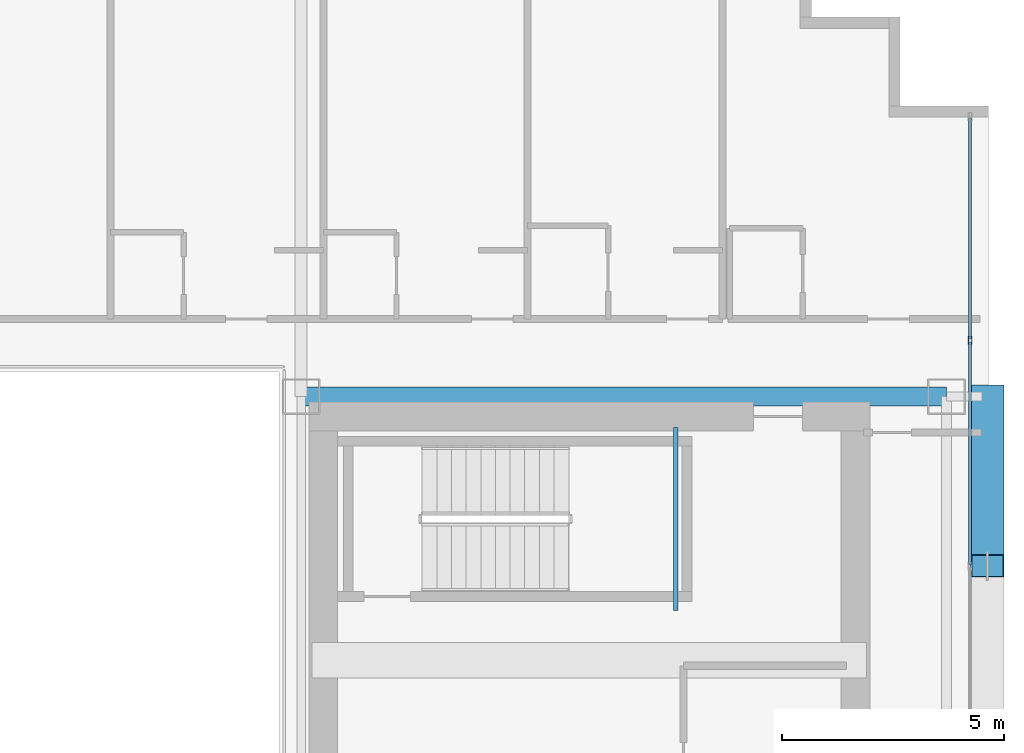
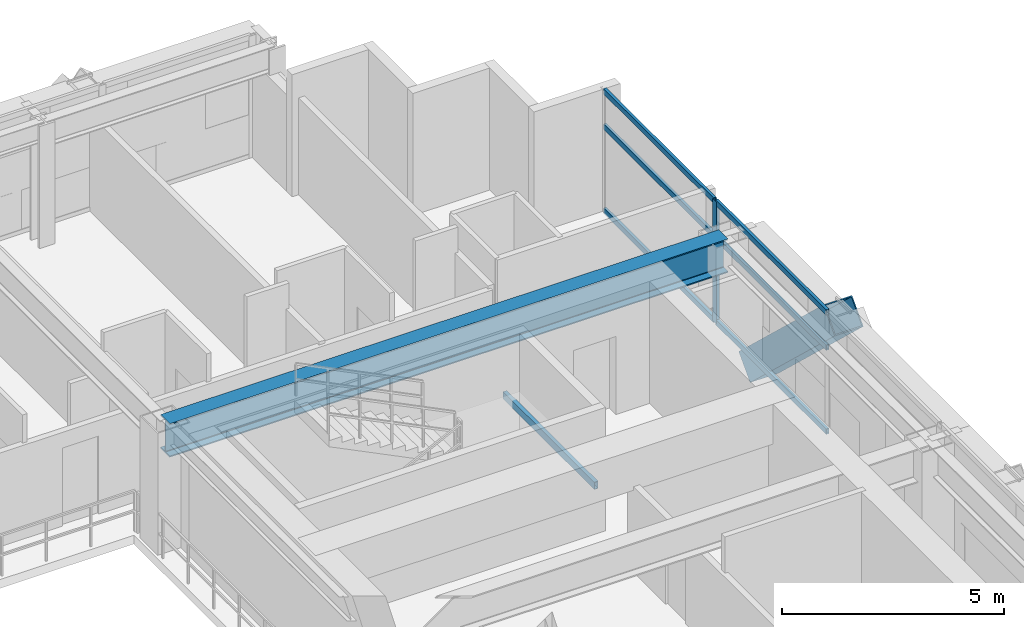
# One storey, part 20 of 36: 8 members, 2 beams, 1 element without a shape of its own.
"""IFC4 building model written with IfcOpenShell, lengths in metres."""

import ifcopenshell
import ifcopenshell.guid

model = None  # the IFC model being written
_history = None  # IfcOwnerHistory: only IFC2X3 demands one
_inside = {}  # id of a spatial element -> (the spatial element, [elements in it])
_under = {}  # id of a project, library or spatial element -> (it, [spatial elements below it])
_declared = {}  # id of a project -> (the project, [libraries it declares])
_typed = {}  # id of a type object -> (the type object, [elements of that type])
_made_of = {}  # id of a material, layer set ... -> (it, [elements and type objects made of it])


def new_model(schema):
    """Start an empty IFC model of exactly this schema.

    Asked for "IFC4X3", IfcOpenShell would pick the latest addendum, in which some entities
    have other attributes; the version numbers below select the first issue.
    IFC2X3 requires an IfcOwnerHistory on every rooted entity: one is made here for all.
    """
    global model, _history
    if schema == "IFC4X3":
        model = ifcopenshell.file(schema_version=(4, 3, 0, 0))
    else:
        model = ifcopenshell.file(schema=schema)
    _inside.clear()
    _under.clear()
    _declared.clear()
    _typed.clear()
    _made_of.clear()
    _history = None
    if model.schema == "IFC2X3":
        org = make("IfcOrganization", Name="unknown")
        user = make(
            "IfcPersonAndOrganization",
            ThePerson=make("IfcPerson", FamilyName="unknown"),
            TheOrganization=org,
        )
        app = make(
            "IfcApplication",
            ApplicationDeveloper=org,
            Version="unknown",
            ApplicationFullName="unknown",
            ApplicationIdentifier="unknown",
        )
        _history = make(
            "IfcOwnerHistory",
            OwningUser=user,
            OwningApplication=app,
            ChangeAction="ADDED",
            CreationDate=0,
        )
    return model


def make(cls, **values):
    """One entity of the class cls with the attributes given. An attribute that is None is left unset."""
    return model.create_entity(
        cls, **{name: value for name, value in values.items() if value is not None}
    )


def rooted(cls, **values):
    """An entity with a GlobalId (a new one), such as an element, a storey or a relation."""
    return make(cls, GlobalId=ifcopenshell.guid.new(), OwnerHistory=_history, **values)


def si_unit(unit_type, name, prefix=None):
    """IfcSIUnit, for example si_unit("LENGTHUNIT", "METRE", prefix="MILLI")."""
    return make("IfcSIUnit", UnitType=unit_type, Prefix=prefix, Name=name)


def assignment(units):
    """IfcUnitAssignment: the units of a project."""
    return None if units is None else make("IfcUnitAssignment", Units=units)


def point(xyz):
    """IfcCartesianPoint."""
    return None if xyz is None else make("IfcCartesianPoint", Coordinates=xyz)


def direction(xyz):
    """IfcDirection."""
    return None if xyz is None else make("IfcDirection", DirectionRatios=xyz)


def frame(location, z_axis=None, x_axis=None):
    """IfcAxis2Placement3D, a coordinate frame: its origin and axes. An axis left out is left unset."""
    return make(
        "IfcAxis2Placement3D",
        Location=point(location),
        Axis=direction(z_axis),
        RefDirection=direction(x_axis),
    )


def frame_2d(location, x_axis=None):
    """IfcAxis2Placement2D, a coordinate frame in the plane: its origin and x axis."""
    return make(
        "IfcAxis2Placement2D", Location=point(location), RefDirection=direction(x_axis)
    )


def origin():
    """The frame at (0, 0, 0) with its axes left unset."""
    return frame((0.0, 0.0, 0.0))


def origin_2d():
    """The frame at (0, 0) in the plane with its x axis left unset."""
    return frame_2d((0.0, 0.0))


def place(relative_to, where):
    """IfcLocalPlacement: puts the frame where relative to a parent placement (None: the world)."""
    return make(
        "IfcLocalPlacement", PlacementRelTo=relative_to, RelativePlacement=where
    )


def context(
    kind, dimensions, precision=None, world=None, true_north=None, identifier=None
):
    """IfcGeometricRepresentationContext, for example the 3D "Model" context."""
    return make(
        "IfcGeometricRepresentationContext",
        ContextIdentifier=identifier,
        ContextType=kind,
        CoordinateSpaceDimension=dimensions,
        Precision=precision,
        WorldCoordinateSystem=world,
        TrueNorth=true_north,
    )


def subcontext(parent, identifier, kind, view, scale=None):
    """IfcGeometricRepresentationSubContext, for example "Body" below "Model"."""
    return make(
        "IfcGeometricRepresentationSubContext",
        ContextIdentifier=identifier,
        ContextType=kind,
        ParentContext=parent,
        TargetScale=scale,
        TargetView=view,
    )


def project(units=None, contexts=None):
    """IfcProject with its units and contexts."""
    return rooted(
        "IfcProject",
        Name="project",
        RepresentationContexts=contexts,
        UnitsInContext=assignment(units),
    )


def spatial(cls, under=None, at=None, **own):
    """A site, building, storey or space (cls), placed at a placement, below another one or the project."""
    s = rooted(cls, ObjectPlacement=at, **own)
    if under is not None:
        _under.setdefault(under.id(), (under, []))[1].append(s)
    return s


def profile(cls, at=None, kind="AREA", **sizes):
    """A parametric profile (cls). Its sizes go by their IFC names, for example OverallWidth=200.0."""
    return make(cls, ProfileType=kind, Position=at, **sizes)


def hollow_rectangle(**sizes):
    """IfcRectangleHollowProfileDef."""
    return profile("IfcRectangleHollowProfileDef", **sizes)


def i_section(**sizes):
    """IfcIShapeProfileDef."""
    return profile("IfcIShapeProfileDef", **sizes)


def extrude(swept, where, along, depth):
    """IfcExtrudedAreaSolid: the profile swept, set in the frame where, extruded along a direction by depth."""
    return make(
        "IfcExtrudedAreaSolid",
        SweptArea=swept,
        Position=where,
        ExtrudedDirection=direction(along),
        Depth=depth,
    )


def shape(context_of_items, identifier, shape_type, items):
    """IfcShapeRepresentation: the items that make up one representation, for example the "Body"."""
    return make(
        "IfcShapeRepresentation",
        ContextOfItems=context_of_items,
        RepresentationIdentifier=identifier,
        RepresentationType=shape_type,
        Items=items,
    )


def source(mapping_origin, context_of_items, identifier, shape_type, items):
    """IfcRepresentationMap: a shape defined once, which mapped items show again and again."""
    return make(
        "IfcRepresentationMap",
        MappingOrigin=mapping_origin,
        MappedRepresentation=shape(context_of_items, identifier, shape_type, items),
    )


def transform(
    local_origin,
    x_axis=None,
    y_axis=None,
    z_axis=None,
    scale=None,
    scale2=None,
    scale3=None,
    uniform=True,
):
    """IfcCartesianTransformationOperator3D, or its non-uniform kind. x_axis, y_axis, z_axis: its Axis1, 2, 3."""
    if uniform:
        return make(
            "IfcCartesianTransformationOperator3D",
            Axis1=direction(x_axis),
            Axis2=direction(y_axis),
            LocalOrigin=point(local_origin),
            Scale=scale,
            Axis3=direction(z_axis),
        )
    return make(
        "IfcCartesianTransformationOperator3DnonUniform",
        Axis1=direction(x_axis),
        Axis2=direction(y_axis),
        LocalOrigin=point(local_origin),
        Scale=scale,
        Axis3=direction(z_axis),
        Scale2=scale2,
        Scale3=scale3,
    )


def mapped(mapping_source, mapping_target):
    """IfcMappedItem: shows the shape of a source again, moved by a transform."""
    return make(
        "IfcMappedItem", MappingSource=mapping_source, MappingTarget=mapping_target
    )


def material(Name=None, Category=None):
    """IfcMaterial."""
    return make("IfcMaterial", Name=Name, Category=Category)


def layer(
    of_material, thickness, ventilated=None, Name=None, Category=None, Priority=None
):
    """IfcMaterialLayer: one layer of a wall or slab, of a material (None: an air gap)."""
    return make(
        "IfcMaterialLayer",
        Material=of_material,
        LayerThickness=thickness,
        IsVentilated=ventilated,
        Name=Name,
        Category=Category,
        Priority=Priority,
    )


def layer_set(layers, Name=None):
    """IfcMaterialLayerSet."""
    return make("IfcMaterialLayerSet", MaterialLayers=layers, LayerSetName=Name)


def material_profile(
    of_material, cross_section, Name=None, Category=None, Priority=None
):
    """IfcMaterialProfile: a cross section and its material."""
    return make(
        "IfcMaterialProfile",
        Name=Name,
        Material=of_material,
        Profile=cross_section,
        Priority=Priority,
        Category=Category,
    )


def profile_set(profiles, Name=None, composite=None):
    """IfcMaterialProfileSet."""
    return make(
        "IfcMaterialProfileSet",
        Name=Name,
        MaterialProfiles=profiles,
        CompositeProfile=composite,
    )


def made_of(thing, what):
    """Note that an element or type object is made of a material, layer set ...; save() writes the relation."""
    if what is not None:
        _made_of.setdefault(what.id(), (what, []))[1].append(thing)
    return thing


def type_object(cls, material=None, **own):
    """A type object (cls), such as IfcWallType, which elements share."""
    return made_of(rooted(cls, **own), material)


def element(
    cls,
    number,
    at=None,
    inside=None,
    cuts=None,
    type_object=None,
    material=None,
    context=None,
    identifier="Body",
    shape_type=None,
    held_by="IfcProductDefinitionShape",
    body=None,
    shapes=None,
    **own,
):
    """One element of the class cls, such as IfcWall. Its Tag is "e" and its number.

    at: its placement. inside: the storey or other place that contains it. cuts: it is an
    opening in that element (IfcRelVoidsElement). A single representation is given by context,
    identifier, shape_type and body (its items); several are given by shapes. held_by: the class
    of the entity that holds the representations. save() writes the other relations.
    """
    e = rooted(cls, Tag="e%d" % number, ObjectPlacement=at, **own)
    if body is not None:
        shapes = [shape(context, identifier, shape_type, body)]
    if shapes is not None:
        e.Representation = make(held_by, Representations=shapes)
    if inside is not None:
        _inside.setdefault(inside.id(), (inside, []))[1].append(e)
    if cuts is not None:
        rooted(
            "IfcRelVoidsElement", RelatingBuildingElement=cuts, RelatedOpeningElement=e
        )
    if type_object is not None:
        _typed.setdefault(type_object.id(), (type_object, []))[1].append(e)
    return made_of(e, material)


def aggregate(whole, parts):
    """IfcRelAggregates: a whole, such as a stair, and the parts it consists of."""
    return rooted("IfcRelAggregates", RelatingObject=whole, RelatedObjects=parts)


def save(model, path):
    """Write the relations noted so far, then the file.

    IfcRelAggregates (storeys below a building ...), IfcRelContainedInSpatialStructure (elements
    in a storey), IfcRelDefinesByType, IfcRelAssociatesMaterial and IfcRelDeclares: one each for
    every whole, place, type object, material and project.
    """
    for whole, parts in _under.values():
        aggregate(whole, parts)
    for where, things in _inside.values():
        rooted(
            "IfcRelContainedInSpatialStructure",
            RelatedElements=things,
            RelatingStructure=where,
        )
    for kind, things in _typed.values():
        rooted("IfcRelDefinesByType", RelatedObjects=things, RelatingType=kind)
    for what, things in _made_of.values():
        rooted("IfcRelAssociatesMaterial", RelatedObjects=things, RelatingMaterial=what)
    for by, libraries in _declared.values():
        rooted("IfcRelDeclares", RelatingContext=by, RelatedDefinitions=libraries)
    model.write(path)


model = new_model("IFC4")

# Units and contexts
model_context = context("Model", 3, precision=1e-05, world=origin(), true_north=direction((0.0, 1.0)))
body_context = subcontext(model_context, "Body", "Model", "MODEL_VIEW")
ifc_project = project(units=[si_unit("LENGTHUNIT", "METRE"), si_unit("AREAUNIT", "SQUARE_METRE"), si_unit("VOLUMEUNIT", "CUBIC_METRE"), si_unit("PLANEANGLEUNIT", "RADIAN"), si_unit("MASSUNIT", "GRAM", prefix="KILO")], contexts=[model_context])

# Site, building, storey
site_placement = place(None, origin())
site = spatial("IfcSite", under=ifc_project, at=site_placement, CompositionType="ELEMENT")
building_placement = place(site_placement, origin())
building = spatial("IfcBuilding", under=site, at=building_placement, Name="Ocotamira Hotel", CompositionType="ELEMENT")
storey_placement = place(building_placement, frame((0.0, 0.0, 97.199951171875)))
storey = spatial("IfcBuildingStorey", under=building, at=storey_placement, Name="L23", CompositionType="ELEMENT", Elevation=97.199951171875)

# Beams
ifc_material_1 = material(Name="Steel ASTM A500 Grade C", Category="steel")
ifc_material_profile_1 = material_profile(ifc_material_1, hollow_rectangle(XDim=0.10009765625, YDim=0.199951171875, WallThickness=0.008056640625, at=origin_2d()), Name="HSS200X100X8")
ifc_profile_set_1 = profile_set([ifc_material_profile_1], Name="Steel ASTM A500 Grade C")
beam_type_1 = type_object("IfcBeamType", Name="BM-STLDG-HSS200", PredefinedType="BEAM", material=ifc_profile_set_1)
shared_shape_1 = source(origin(), body_context, "Body", "SweptSolid", [
    extrude(hollow_rectangle(XDim=0.10009765625, YDim=0.199951171875, WallThickness=0.008056640625, at=origin_2d()), origin(), (0.0, 0.0, 1.0), 4.1201171875),
])
beam_1_placement = place(storey_placement, frame((48.949951171875, 32.6298828125, 1.5), z_axis=(0.0, 1.0, 0.0), x_axis=(-1.0, 0.0, 0.0)))
element("IfcBeam", 1, at=beam_1_placement, inside=storey, type_object=beam_type_1, Name="L23 Stair ST-4 Landing Bearer 1", PredefinedType="BEAM", context=body_context, shape_type="MappedRepresentation", body=[
    mapped(shared_shape_1, transform((0.0, 0.0, 0.0), scale=1.0)),
])
ifc_material_2 = material(Name="Steel ASTM A992 Grade 50", Category="steel")
ifc_material_profile_2 = material_profile(ifc_material_2, i_section(OverallWidth=0.41796875, OverallDepth=0.927001953125, WebThickness=0.019287109375, FlangeThickness=0.031982421875, FilletRadius=0.02392578125, at=origin_2d()), Name="W36X231")
ifc_profile_set_2 = profile_set([ifc_material_profile_2], Name="Steel ASTM A992 Grade 50")
beam_type_2 = type_object("IfcBeamType", Name="BM-GIRD-W36X231", PredefinedType="BEAM", material=ifc_profile_set_2)
shared_shape_2 = source(origin(), body_context, "Body", "SweptSolid", [
    extrude(i_section(OverallWidth=0.41796875, OverallDepth=0.927001953125, WebThickness=0.019287109375, FlangeThickness=0.031982421875, FilletRadius=0.02392578125, at=origin_2d()), origin(), (0.0, 0.0, 1.0), 14.550048828125),
])
beam_2_placement = place(storey_placement, frame((40.5, 37.449951171875, 2.896484375), z_axis=(1.0, 0.0, 0.0), x_axis=(0.0, 1.0, 0.0)))
element("IfcBeam", 2, at=beam_2_placement, inside=storey, type_object=beam_type_2, Name="L23 Girder Y37.45 X40.5-55.05", PredefinedType="BEAM", context=body_context, shape_type="MappedRepresentation", body=[
    mapped(shared_shape_2, transform((0.0, 0.0, 0.0), scale=1.0)),
])

# Member
ifc_material_3 = material(Name="Pale-metal coated steel ASTM A913 Grade 65", Category="steel")
ifc_material_profile_3 = material_profile(ifc_material_3, hollow_rectangle(XDim=0.75, YDim=0.75, WallThickness=0.028076171875, at=origin_2d()), Name="BOX750X750X28")
ifc_profile_set_3 = profile_set([ifc_material_profile_3], Name="Pale-metal coated steel ASTM A913 Grade 65")
member_type_1 = type_object("IfcMemberType", Name="MEM-EXO-BOX750", PredefinedType="BRACE", material=ifc_profile_set_3)
shared_shape_3 = source(origin(), body_context, "Body", "SweptSolid", [
    extrude(hollow_rectangle(XDim=0.75, YDim=0.75, WallThickness=0.028076171875, at=origin_2d()), origin(), (0.0, 0.0, 1.0), 5.24658203125),
])
member_1_placement = place(storey_placement, frame((55.969970703125, 37.449951171875, -0.489990234375), z_axis=(0.0, -0.727442733726, 0.686168397078), x_axis=(1.0, 0.0, 0.0)))
element("IfcMember", 3, at=member_1_placement, inside=storey, type_object=member_type_1, Name="L23 Exoskeleton Diagrid E2.2", PredefinedType="BRACE", context=body_context, shape_type="MappedRepresentation", body=[
    mapped(shared_shape_3, transform((0.0, 0.0, 0.0), scale=1.0)),
])

# Curtain wall, members
ifc_material_4 = material(Name="Anodised pale-metal aluminium and solar glass", Category="aluminium")
ifc_layer = layer(ifc_material_4, 0.179931640625)
ifc_layer_set = layer_set([ifc_layer], Name="Anodised pale-metal aluminium and solar glass")
curtain_wall_type = type_object("IfcCurtainWallType", Name="CW-SYS3-Z2", PredefinedType="NOTDEFINED", material=ifc_layer_set)
curtain_wall_placement = place(storey_placement, origin())
curtain_wall = element("IfcCurtainWall", 4, at=curtain_wall_placement, inside=storey, type_object=curtain_wall_type, Name="L23 Curtain Wall CW-3 CW-L23-E", PredefinedType="NOTDEFINED")
ifc_material_5 = material(Name="Anodised pale-metal aluminium 6063-T6", Category="aluminium")
ifc_material_profile_4 = material_profile(ifc_material_5, hollow_rectangle(XDim=0.074951171875, YDim=0.14990234375, WallThickness=0.006103515625, at=origin_2d()), Name="HSS150X75X6")
ifc_profile_set_4 = profile_set([ifc_material_profile_4], Name="Anodised pale-metal aluminium 6063-T6")
member_type_2 = type_object("IfcMemberType", Name="CWT-150X75", PredefinedType="USERDEFINED", material=ifc_profile_set_4)
shared_shape_4 = source(origin(), body_context, "Body", "SweptSolid", [
    extrude(hollow_rectangle(XDim=0.074951171875, YDim=0.14990234375, WallThickness=0.006103515625, at=origin_2d()), origin(), (0.0, 0.0, 1.0), 4.965576171875),
])
member_2_placement = place(storey_placement, frame((55.580078125, 38.75439453125, 0.03759765625), z_axis=(0.0, 1.0, 0.0), x_axis=(-1.0, 0.0, 0.0)))
member_2 = element("IfcMember", 5, at=member_2_placement, type_object=member_type_2, Name="CW-3 transom 7.1", ObjectType="TRANSOM", PredefinedType="USERDEFINED", context=body_context, shape_type="MappedRepresentation", body=[
    mapped(shared_shape_4, transform((0.0, 0.0, 0.0), scale=1.0)),
])
member_3_placement = place(storey_placement, frame((55.580078125, 38.75439453125, 2.35009765625), z_axis=(0.0, 1.0, 0.0), x_axis=(-1.0, 0.0, 0.0)))
member_3 = element("IfcMember", 6, at=member_3_placement, type_object=member_type_2, Name="CW-3 transom 7.2", ObjectType="TRANSOM", PredefinedType="USERDEFINED", context=body_context, shape_type="MappedRepresentation", body=[
    mapped(shared_shape_4, transform((0.0, 0.0, 0.0), scale=1.0)),
])
member_4_placement = place(storey_placement, frame((55.580078125, 38.75439453125, 3.322509765625), z_axis=(0.0, 1.0, 0.0), x_axis=(-1.0, 0.0, 0.0)))
member_4 = element("IfcMember", 7, at=member_4_placement, type_object=member_type_2, Name="CW-3 transom 7.3", ObjectType="TRANSOM", PredefinedType="USERDEFINED", context=body_context, shape_type="MappedRepresentation", body=[
    mapped(shared_shape_4, transform((0.0, 0.0, 0.0), scale=1.0)),
])
shared_shape_5 = source(origin(), body_context, "Body", "SweptSolid", [
    extrude(hollow_rectangle(XDim=0.074951171875, YDim=0.14990234375, WallThickness=0.006103515625, at=origin_2d()), origin(), (0.0, 0.0, 1.0), 5.005859375),
])
member_5_placement = place(storey_placement, frame((55.580078125, 33.66845703125, 0.03759765625), z_axis=(0.0, 1.0, 0.0), x_axis=(-1.0, 0.0, 0.0)))
member_5 = element("IfcMember", 8, at=member_5_placement, type_object=member_type_2, Name="CW-3 transom 6.1", ObjectType="TRANSOM", PredefinedType="USERDEFINED", context=body_context, shape_type="MappedRepresentation", body=[
    mapped(shared_shape_5, transform((0.0, 0.0, 0.0), scale=1.0)),
])
member_6_placement = place(storey_placement, frame((55.580078125, 33.66845703125, 2.35009765625), z_axis=(0.0, 1.0, 0.0), x_axis=(-1.0, 0.0, 0.0)))
member_6 = element("IfcMember", 9, at=member_6_placement, type_object=member_type_2, Name="CW-3 transom 6.2", ObjectType="TRANSOM", PredefinedType="USERDEFINED", context=body_context, shape_type="MappedRepresentation", body=[
    mapped(shared_shape_5, transform((0.0, 0.0, 0.0), scale=1.0)),
])
member_7_placement = place(storey_placement, frame((55.580078125, 33.66845703125, 3.322509765625), z_axis=(0.0, 1.0, 0.0), x_axis=(-1.0, 0.0, 0.0)))
member_7 = element("IfcMember", 10, at=member_7_placement, type_object=member_type_2, Name="CW-3 transom 6.3", ObjectType="TRANSOM", PredefinedType="USERDEFINED", context=body_context, shape_type="MappedRepresentation", body=[
    mapped(shared_shape_5, transform((0.0, 0.0, 0.0), scale=1.0)),
])
ifc_material_profile_5 = material_profile(ifc_material_5, hollow_rectangle(XDim=0.080078125, YDim=0.179931640625, WallThickness=0.006103515625, at=origin_2d()), Name="HSS180X80X6")
ifc_profile_set_5 = profile_set([ifc_material_profile_5], Name="Anodised pale-metal aluminium 6063-T6")
member_type_3 = type_object("IfcMemberType", Name="CWM-180X75", PredefinedType="MULLION", material=ifc_profile_set_5)
shared_shape_6 = source(origin(), body_context, "Body", "SweptSolid", [
    extrude(hollow_rectangle(XDim=0.080078125, YDim=0.179931640625, WallThickness=0.006103515625, at=origin_2d()), origin(), (0.0, 0.0, 1.0), 3.360107421875),
])
member_8_placement = place(storey_placement, frame((55.580078125, 38.71435546875, 0.0), z_axis=(0.0, 0.0, 1.0), x_axis=(-1.0, 0.0, 0.0)))
member_8 = element("IfcMember", 11, at=member_8_placement, type_object=member_type_3, Name="CW-3 mullion 7", PredefinedType="MULLION", context=body_context, shape_type="MappedRepresentation", body=[
    mapped(shared_shape_6, transform((0.0, 0.0, 0.0), scale=1.0)),
])
aggregate(curtain_wall, [member_8, member_5, member_6, member_7, member_2, member_3, member_4])

save(model, "model.ifc")
